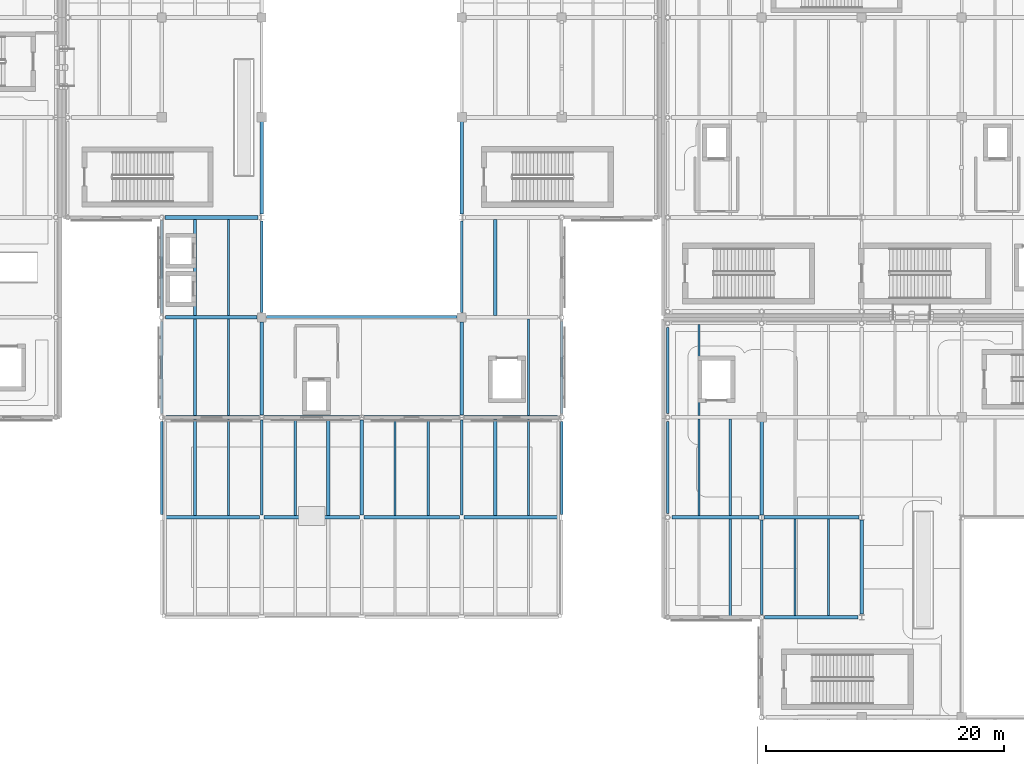
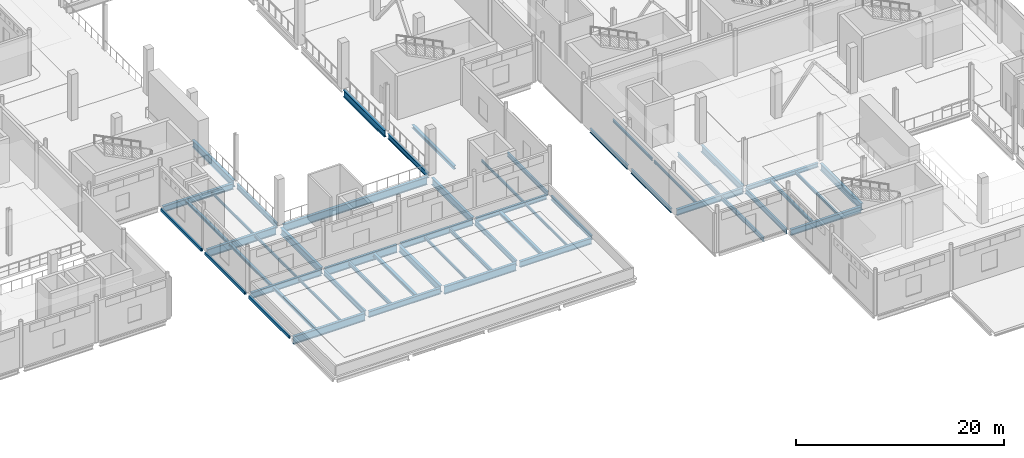
# One storey, part 19 of 110: 53 beams.
"""IFC4 building model written with IfcOpenShell, lengths in metres."""

from ifc_helpers import new_model, si_unit, direction, frame, origin, origin_2d, place, context, subcontext, project, spatial, hollow_rectangle, i_section, extrude, material, material_profile, profile_set, type_object, element, save


model = new_model("IFC4")

# Units and contexts
model_context = context("Model", 3, precision=1e-05, world=origin(), true_north=direction((0.0, 1.0)))
body_context = subcontext(model_context, "Body", "Model", "MODEL_VIEW")
ifc_project = project(units=[si_unit("LENGTHUNIT", "METRE"), si_unit("AREAUNIT", "SQUARE_METRE"), si_unit("VOLUMEUNIT", "CUBIC_METRE"), si_unit("PLANEANGLEUNIT", "RADIAN"), si_unit("MASSUNIT", "GRAM", prefix="KILO"), si_unit("THERMODYNAMICTEMPERATUREUNIT", "KELVIN")], contexts=[model_context])

# Site, building, storey
site_placement = place(None, origin())
site = spatial("IfcSite", under=ifc_project, at=site_placement, CompositionType="ELEMENT")
building_placement = place(site_placement, origin())
building = spatial("IfcBuilding", under=site, at=building_placement, Name="Lustrewick Department Store", CompositionType="ELEMENT")
storey_placement = place(building_placement, frame((0.0, 0.0, 6.0)))
storey = spatial("IfcBuildingStorey", under=building, at=storey_placement, Name="L02", CompositionType="ELEMENT", Elevation=6.0)

# Beams
ifc_material_1 = material(Name="Structural steel Q355B", Category="steel")
ifc_material_profile_1 = material_profile(ifc_material_1, i_section(OverallWidth=0.198974609375, OverallDepth=0.49609375, WebThickness=0.009033203125, FlangeThickness=0.013916015625, FilletRadius=0.01611328125, at=origin_2d()), Name="HN 496x199x9x14")
ifc_profile_set_1 = profile_set([ifc_material_profile_1], Name="Structural steel Q355B")
beam_type_1 = type_object("IfcBeamType", Name="B02", PredefinedType="JOIST", material=ifc_profile_set_1)
beam_1_placement = place(storey_placement, frame((114.966796875, 25.300048828125, -0.5029296875), z_axis=(0.0, 1.0, 0.0), x_axis=(-1.0, 0.0, 0.0)))
element("IfcBeam", 1, at=beam_1_placement, inside=storey, type_object=beam_type_1, Name="L02 V3 Secondary Joist B02", PredefinedType="JOIST", context=body_context, shape_type="SweptSolid", body=[
    extrude(i_section(OverallWidth=0.198974609375, OverallDepth=0.49609375, WebThickness=0.009033203125, FlangeThickness=0.013916015625, FilletRadius=0.01611328125, at=origin_2d()), origin(), (0.0, 0.0, 1.0), 8.14990234375),
])
beam_2_placement = place(storey_placement, frame((114.966796875, 33.75, -0.5029296875), z_axis=(0.0, 1.0, 0.0), x_axis=(-1.0, 0.0, 0.0)))
element("IfcBeam", 2, at=beam_2_placement, inside=storey, type_object=beam_type_1, Name="L02 V3 Secondary Joist B02", PredefinedType="JOIST", context=body_context, shape_type="SweptSolid", body=[
    extrude(i_section(OverallWidth=0.198974609375, OverallDepth=0.49609375, WebThickness=0.009033203125, FlangeThickness=0.013916015625, FilletRadius=0.01611328125, at=origin_2d()), origin(), (0.0, 0.0, 1.0), 8.09912109375),
])
ifc_material_profile_2 = material_profile(ifc_material_1, i_section(OverallWidth=0.199951171875, OverallDepth=0.449951171875, WebThickness=0.009033203125, FlangeThickness=0.013916015625, FilletRadius=0.01611328125, at=origin_2d()), Name="HN 450x200x9x14")
ifc_profile_set_2 = profile_set([ifc_material_profile_2], Name="Structural steel Q355B")
beam_type_2 = type_object("IfcBeamType", Name="B03", PredefinedType="JOIST", material=ifc_profile_set_2)
for number, where, z_axis, x_axis, name in (
    (3, (78.39990234375, 33.75, -0.47998046875), (0.0, 1.0, 0.0), (-1.0, 0.0, 0.0), "L02 V2 Secondary Joist B03"),
    (4, (89.60009765625, 33.7509765625, -0.47998046875), (0.0, 1.0, 0.0), (-1.0, 0.0, 0.0), "L02 V2 Secondary Joist B03"),
):
    element("IfcBeam", number, at=place(storey_placement, frame(where, z_axis=z_axis, x_axis=x_axis)), inside=storey, type_object=beam_type_2, Name=name, PredefinedType="JOIST", context=body_context, shape_type="SweptSolid", body=[
        extrude(i_section(OverallWidth=0.199951171875, OverallDepth=0.449951171875, WebThickness=0.009033203125, FlangeThickness=0.013916015625, FilletRadius=0.01611328125, at=origin_2d()), origin(), (0.0, 0.0, 1.0), 8.09912109375),
    ])
ifc_material_profile_3 = material_profile(ifc_material_1, i_section(OverallWidth=0.198974609375, OverallDepth=0.39599609375, WebThickness=0.007080078125, FlangeThickness=0.010986328125, FilletRadius=0.013916015625, at=origin_2d()), Name="HN 396x199x7x11")
ifc_profile_set_3 = profile_set([ifc_material_profile_3], Name="Structural steel Q355B")
beam_type_3 = type_object("IfcBeamType", Name="B06", PredefinedType="JOIST", material=ifc_profile_set_3)
beam_3_placement = place(storey_placement, frame((120.39990234375, 25.35009765625, -0.452880859375), z_axis=(0.0, 1.0, 0.0), x_axis=(-1.0, 0.0, 0.0)))
element("IfcBeam", 5, at=beam_3_placement, inside=storey, type_object=beam_type_3, Name="L02 V3 Secondary Joist B06", PredefinedType="JOIST", context=body_context, shape_type="SweptSolid", body=[
    extrude(i_section(OverallWidth=0.198974609375, OverallDepth=0.39599609375, WebThickness=0.007080078125, FlangeThickness=0.010986328125, FilletRadius=0.013916015625, at=origin_2d()), origin(), (0.0, 0.0, 1.0), 8.099853515625),
])
ifc_material_profile_4 = material_profile(ifc_material_1, i_section(OverallWidth=0.300048828125, OverallDepth=0.389892578125, WebThickness=0.010009765625, FlangeThickness=0.01611328125, FilletRadius=0.01806640625, at=origin_2d()), Name="HM 390x300x10x16")
ifc_profile_set_4 = profile_set([ifc_material_profile_4], Name="Structural steel Q355B")
beam_type_4 = type_object("IfcBeamType", Name="B07", PredefinedType="JOIST", material=ifc_profile_set_4)
beam_4_placement = place(storey_placement, frame((81.199951171875, 33.75, -0.449951171875), z_axis=(0.0, 1.0, 0.0), x_axis=(-1.0, 0.0, 0.0)))
element("IfcBeam", 6, at=beam_4_placement, inside=storey, type_object=beam_type_4, Name="L02 V2 Secondary Joist B07", PredefinedType="JOIST", context=body_context, shape_type="SweptSolid", body=[
    extrude(i_section(OverallWidth=0.300048828125, OverallDepth=0.389892578125, WebThickness=0.010009765625, FlangeThickness=0.01611328125, FilletRadius=0.01806640625, at=origin_2d()), origin(), (0.0, 0.0, 1.0), 8.09912109375),
])
beam_5_placement = place(storey_placement, frame((95.199951171875, 33.75, -0.449951171875), z_axis=(0.0, 1.0, 0.0), x_axis=(-1.0, 0.0, 0.0)))
element("IfcBeam", 7, at=beam_5_placement, inside=storey, type_object=beam_type_4, Name="L02 V2 Secondary Joist B07", PredefinedType="JOIST", context=body_context, shape_type="SweptSolid", body=[
    extrude(i_section(OverallWidth=0.300048828125, OverallDepth=0.389892578125, WebThickness=0.010009765625, FlangeThickness=0.01611328125, FilletRadius=0.01806640625, at=origin_2d()), origin(), (0.0, 0.0, 1.0), 8.10009765625),
])
beam_6_placement = place(storey_placement, frame((95.199951171875, 50.550048828125, -0.449951171875), z_axis=(0.0, 1.0, 0.0), x_axis=(-1.0, 0.0, 0.0)))
element("IfcBeam", 8, at=beam_6_placement, inside=storey, type_object=beam_type_4, Name="L02 V2 Secondary Joist B07", PredefinedType="JOIST", context=body_context, shape_type="SweptSolid", body=[
    extrude(i_section(OverallWidth=0.300048828125, OverallDepth=0.389892578125, WebThickness=0.010009765625, FlangeThickness=0.01611328125, FilletRadius=0.01806640625, at=origin_2d()), origin(), (0.0, 0.0, 1.0), 8.099853515625),
])
ifc_material_profile_5 = material_profile(ifc_material_1, i_section(OverallWidth=0.25, OverallDepth=0.340087890625, WebThickness=0.009033203125, FlangeThickness=0.013916015625, FilletRadius=0.01611328125, at=origin_2d()), Name="HM 340x250x9x14")
ifc_profile_set_5 = profile_set([ifc_material_profile_5], Name="Structural steel Q355B")
beam_type_5 = type_object("IfcBeamType", Name="B08", PredefinedType="JOIST", material=ifc_profile_set_5)
for number, where, z_axis, x_axis, name in (
    (9, (70.0, 33.7509765625, -0.425048828125), (0.0, 1.0, 0.0), (-1.0, 0.0, 0.0), "L02 V2 Secondary Joist B08"),
    (10, (70.0, 42.14990234375, -0.425048828125), (0.0, 1.0, 0.0), (-1.0, 0.0, 0.0), "L02 V2 Secondary Joist B08"),
):
    element("IfcBeam", number, at=place(storey_placement, frame(where, z_axis=z_axis, x_axis=x_axis)), inside=storey, type_object=beam_type_5, Name=name, PredefinedType="JOIST", context=body_context, shape_type="SweptSolid", body=[
        extrude(i_section(OverallWidth=0.25, OverallDepth=0.340087890625, WebThickness=0.009033203125, FlangeThickness=0.013916015625, FilletRadius=0.01611328125, at=origin_2d()), origin(), (0.0, 0.0, 1.0), 8.09912109375),
    ])
beam_7_placement = place(storey_placement, frame((70.0, 50.551025390625, -0.425048828125), z_axis=(0.0, 1.0, 0.0), x_axis=(-1.0, 0.0, 0.0)))
element("IfcBeam", 11, at=beam_7_placement, inside=storey, type_object=beam_type_5, Name="L02 V2 Secondary Joist B08", PredefinedType="JOIST", context=body_context, shape_type="SweptSolid", body=[
    extrude(i_section(OverallWidth=0.25, OverallDepth=0.340087890625, WebThickness=0.009033203125, FlangeThickness=0.013916015625, FilletRadius=0.01611328125, at=origin_2d()), origin(), (0.0, 0.0, 1.0), 8.098876953125),
])
ifc_material_profile_6 = material_profile(ifc_material_1, i_section(OverallWidth=0.174072265625, OverallDepth=0.345947265625, WebThickness=0.006103515625, FlangeThickness=0.009033203125, FilletRadius=0.012939453125, at=origin_2d()), Name="HN 346x174x6x9")
ifc_profile_set_6 = profile_set([ifc_material_profile_6], Name="Structural steel Q355B")
beam_type_6 = type_object("IfcBeamType", Name="B10", PredefinedType="JOIST", material=ifc_profile_set_6)
beam_8_placement = place(storey_placement, frame((123.199951171875, 25.35009765625, -0.427978515625), z_axis=(0.0, 1.0, 0.0), x_axis=(-1.0, 0.0, 0.0)))
element("IfcBeam", 12, at=beam_8_placement, inside=storey, type_object=beam_type_6, Name="L02 V3 Secondary Joist B10", PredefinedType="JOIST", context=body_context, shape_type="SweptSolid", body=[
    extrude(i_section(OverallWidth=0.174072265625, OverallDepth=0.345947265625, WebThickness=0.006103515625, FlangeThickness=0.009033203125, FilletRadius=0.012939453125, at=origin_2d()), origin(), (0.0, 0.0, 1.0), 8.099853515625),
])
ifc_material_profile_7 = material_profile(ifc_material_1, i_section(OverallWidth=0.14990234375, OverallDepth=0.300048828125, WebThickness=0.006591796875, FlangeThickness=0.009033203125, FilletRadius=0.011962890625, at=origin_2d()), Name="HN 300x150x6.5x9")
ifc_profile_set_7 = profile_set([ifc_material_profile_7], Name="Structural steel Q355B")
beam_type_7 = type_object("IfcBeamType", Name="B11", PredefinedType="JOIST", material=ifc_profile_set_7)
for number, where, z_axis, x_axis, name in (
    (13, (98.0, 33.75, -0.405029296875), (0.0, 1.0, 0.0), (-1.0, 0.0, 0.0), "L02 V2 Secondary Joist B11"),
    (14, (98.0, 42.14990234375, -0.405029296875), (0.0, 1.0, 0.0), (-1.0, 0.0, 0.0), "L02 V2 Secondary Joist B11"),
):
    element("IfcBeam", number, at=place(storey_placement, frame(where, z_axis=z_axis, x_axis=x_axis)), inside=storey, type_object=beam_type_7, Name=name, PredefinedType="JOIST", context=body_context, shape_type="SweptSolid", body=[
        extrude(i_section(OverallWidth=0.14990234375, OverallDepth=0.300048828125, WebThickness=0.006591796875, FlangeThickness=0.009033203125, FilletRadius=0.011962890625, at=origin_2d()), origin(), (0.0, 0.0, 1.0), 8.10009765625),
    ])
beam_9_placement = place(storey_placement, frame((112.333251953125, 33.75, -0.405029296875), z_axis=(0.0, 1.0, 0.0), x_axis=(-1.0, 0.0, 0.0)))
element("IfcBeam", 15, at=beam_9_placement, inside=storey, type_object=beam_type_7, Name="L02 V3 Secondary Joist B11", PredefinedType="JOIST", context=body_context, shape_type="SweptSolid", body=[
    extrude(i_section(OverallWidth=0.14990234375, OverallDepth=0.300048828125, WebThickness=0.006591796875, FlangeThickness=0.009033203125, FilletRadius=0.011962890625, at=origin_2d()), origin(), (0.0, 0.0, 1.0), 8.09912109375),
])
beam_10_placement = place(storey_placement, frame((112.333251953125, 42.15087890625, -0.405029296875), z_axis=(0.0, 1.0, 0.0), x_axis=(-1.0, 0.0, 0.0)))
element("IfcBeam", 16, at=beam_10_placement, inside=storey, type_object=beam_type_7, Name="L02 V3 Secondary Joist B11", PredefinedType="JOIST", context=body_context, shape_type="SweptSolid", body=[
    extrude(i_section(OverallWidth=0.14990234375, OverallDepth=0.300048828125, WebThickness=0.006591796875, FlangeThickness=0.009033203125, FilletRadius=0.011962890625, at=origin_2d()), origin(), (0.0, 0.0, 1.0), 7.648681640625),
])
ifc_material_profile_8 = material_profile(ifc_material_1, i_section(OverallWidth=0.14892578125, OverallDepth=0.298095703125, WebThickness=0.005615234375, FlangeThickness=0.008056640625, FilletRadius=0.011962890625, at=origin_2d()), Name="HN 298x149x5.5x8")
ifc_profile_set_8 = profile_set([ifc_material_profile_8], Name="Structural steel Q355B")
beam_type_8 = type_object("IfcBeamType", Name="B12", PredefinedType="JOIST", material=ifc_profile_set_8)
for number, where, z_axis, x_axis, name in (
    (17, (72.800048828125, 33.7509765625, -0.404052734375), (0.0, 1.0, 0.0), (-1.0, 0.0, 0.0), "L02 V2 Secondary Joist B12"),
    (18, (86.800048828125, 33.7509765625, -0.404052734375), (0.0, 1.0, 0.0), (-1.0, 0.0, 0.0), "L02 V2 Secondary Joist B12"),
    (19, (72.800048828125, 42.14990234375, -0.404052734375), (0.0, 1.0, 0.0), (-1.0, 0.0, 0.0), "L02 V2 Secondary Joist B12"),
):
    element("IfcBeam", number, at=place(storey_placement, frame(where, z_axis=z_axis, x_axis=x_axis)), inside=storey, type_object=beam_type_8, Name=name, PredefinedType="JOIST", context=body_context, shape_type="SweptSolid", body=[
        extrude(i_section(OverallWidth=0.14892578125, OverallDepth=0.298095703125, WebThickness=0.005615234375, FlangeThickness=0.008056640625, FilletRadius=0.011962890625, at=origin_2d()), origin(), (0.0, 0.0, 1.0), 8.09912109375),
    ])
beam_11_placement = place(storey_placement, frame((72.800048828125, 50.551025390625, -0.404052734375), z_axis=(0.0, 1.0, 0.0), x_axis=(-1.0, 0.0, 0.0)))
element("IfcBeam", 20, at=beam_11_placement, inside=storey, type_object=beam_type_8, Name="L02 V2 Secondary Joist B12", PredefinedType="JOIST", context=body_context, shape_type="SweptSolid", body=[
    extrude(i_section(OverallWidth=0.14892578125, OverallDepth=0.298095703125, WebThickness=0.005615234375, FlangeThickness=0.008056640625, FilletRadius=0.011962890625, at=origin_2d()), origin(), (0.0, 0.0, 1.0), 8.098876953125),
])
ifc_material_2 = material(Name="Structural steel Q355C", Category="steel")
ifc_material_profile_9 = material_profile(ifc_material_2, i_section(OverallWidth=0.302001953125, OverallDepth=0.912109375, WebThickness=0.01806640625, FlangeThickness=0.033935546875, FilletRadius=0.02392578125, at=origin_2d()), Name="HN 912x302x18x34")
ifc_profile_set_9 = profile_set([ifc_material_profile_9], Name="Structural steel Q355C")
beam_type_9 = type_object("IfcBeamType", Name="G01", PredefinedType="BEAM", material=ifc_profile_set_9)
beam_12_placement = place(storey_placement, frame((67.428466796875, 33.60009765625, -0.7109375), z_axis=(1.0, 0.0, 0.0), x_axis=(0.0, 1.0, 0.0)))
element("IfcBeam", 21, at=beam_12_placement, inside=storey, type_object=beam_type_9, Name="L02 V2 Girder G01", PredefinedType="BEAM", context=body_context, shape_type="SweptSolid", body=[
    extrude(i_section(OverallWidth=0.302001953125, OverallDepth=0.912109375, WebThickness=0.01806640625, FlangeThickness=0.033935546875, FilletRadius=0.02392578125, at=origin_2d()), origin(), (0.0, 0.0, 1.0), 7.968994140625),
])
beam_13_placement = place(storey_placement, frame((84.202392578125, 33.60009765625, -0.7109375), z_axis=(1.0, 0.0, 0.0), x_axis=(0.0, 1.0, 0.0)))
element("IfcBeam", 22, at=beam_13_placement, inside=storey, type_object=beam_type_9, Name="L02 V2 Girder G01", PredefinedType="BEAM", context=body_context, shape_type="SweptSolid", body=[
    extrude(i_section(OverallWidth=0.302001953125, OverallDepth=0.912109375, WebThickness=0.01806640625, FlangeThickness=0.033935546875, FilletRadius=0.02392578125, at=origin_2d()), origin(), (0.0, 0.0, 1.0), 7.9951171875),
])
beam_14_placement = place(storey_placement, frame((75.800048828125, 42.0, -0.7109375), z_axis=(1.0, 0.0, 0.0), x_axis=(0.0, 1.0, 0.0)))
element("IfcBeam", 23, at=beam_14_placement, inside=storey, type_object=beam_type_9, Name="L02 V2 Girder G01", PredefinedType="BEAM", context=body_context, shape_type="SweptSolid", body=[
    extrude(i_section(OverallWidth=0.302001953125, OverallDepth=0.912109375, WebThickness=0.01806640625, FlangeThickness=0.033935546875, FilletRadius=0.02392578125, at=origin_2d()), origin(), (0.0, 0.0, 1.0), 8.0),
])
beam_15_placement = place(storey_placement, frame((67.52490234375, 50.39990234375, -0.7109375), z_axis=(1.0, 0.0, 0.0), x_axis=(0.0, 1.0, 0.0)))
element("IfcBeam", 24, at=beam_15_placement, inside=storey, type_object=beam_type_9, Name="L02 V2 Girder G01", PredefinedType="BEAM", context=body_context, shape_type="SweptSolid", body=[
    extrude(i_section(OverallWidth=0.302001953125, OverallDepth=0.912109375, WebThickness=0.01806640625, FlangeThickness=0.033935546875, FilletRadius=0.02392578125, at=origin_2d()), origin(), (0.0, 0.0, 1.0), 7.675048828125),
])
beam_16_placement = place(storey_placement, frame((76.0, 50.39990234375, -0.7109375), z_axis=(1.0, 0.0, 0.0), x_axis=(0.0, 1.0, 0.0)))
element("IfcBeam", 25, at=beam_16_placement, inside=storey, type_object=beam_type_9, Name="L02 V2 Girder G01", PredefinedType="BEAM", context=body_context, shape_type="SweptSolid", body=[
    extrude(i_section(OverallWidth=0.302001953125, OverallDepth=0.912109375, WebThickness=0.01806640625, FlangeThickness=0.033935546875, FilletRadius=0.02392578125, at=origin_2d()), origin(), (0.0, 0.0, 1.0), 16.0),
])
ifc_material_profile_10 = material_profile(ifc_material_1, i_section(OverallWidth=0.300048828125, OverallDepth=0.800048828125, WebThickness=0.013916015625, FlangeThickness=0.02587890625, FilletRadius=0.02197265625, at=origin_2d()), Name="HN 800x300x14x26")
ifc_profile_set_10 = profile_set([ifc_material_profile_10], Name="Structural steel Q355B")
beam_type_10 = type_object("IfcBeamType", Name="G05", PredefinedType="BEAM", material=ifc_profile_set_10)
beam_17_placement = place(storey_placement, frame((75.60009765625, 59.10009765625, -0.655029296875), z_axis=(0.0, 1.0, 0.0), x_axis=(-1.0, 0.0, 0.0)))
element("IfcBeam", 26, at=beam_17_placement, inside=storey, type_object=beam_type_10, Name="L02 V2 Girder G05", PredefinedType="BEAM", context=body_context, shape_type="SweptSolid", body=[
    extrude(i_section(OverallWidth=0.300048828125, OverallDepth=0.800048828125, WebThickness=0.013916015625, FlangeThickness=0.02587890625, FilletRadius=0.02197265625, at=origin_2d()), origin(), (0.0, 0.0, 1.0), 7.89990234375),
])
beam_18_placement = place(storey_placement, frame((92.39990234375, 42.199951171875, -0.655029296875), z_axis=(0.0, 1.0, 0.0), x_axis=(-1.0, 0.0, 0.0)))
element("IfcBeam", 27, at=beam_18_placement, inside=storey, type_object=beam_type_10, Name="L02 V2 Girder G05", PredefinedType="BEAM", context=body_context, shape_type="SweptSolid", body=[
    extrude(i_section(OverallWidth=0.300048828125, OverallDepth=0.800048828125, WebThickness=0.013916015625, FlangeThickness=0.02587890625, FilletRadius=0.02197265625, at=origin_2d()), origin(), (0.0, 0.0, 1.0), 7.800048828125),
])
beam_19_placement = place(storey_placement, frame((92.39990234375, 59.10009765625, -0.655029296875), z_axis=(0.0, 1.0, 0.0), x_axis=(-1.0, 0.0, 0.0)))
element("IfcBeam", 28, at=beam_19_placement, inside=storey, type_object=beam_type_10, Name="L02 V2 Girder G05", PredefinedType="BEAM", context=body_context, shape_type="SweptSolid", body=[
    extrude(i_section(OverallWidth=0.300048828125, OverallDepth=0.800048828125, WebThickness=0.013916015625, FlangeThickness=0.02587890625, FilletRadius=0.02197265625, at=origin_2d()), origin(), (0.0, 0.0, 1.0), 7.89990234375),
])
beam_20_placement = place(storey_placement, frame((117.60009765625, 33.806884765625, -0.655029296875), z_axis=(0.0, 1.0, 0.0), x_axis=(-1.0, 0.0, 0.0)))
element("IfcBeam", 29, at=beam_20_placement, inside=storey, type_object=beam_type_10, Name="L02 V3 Girder G05", PredefinedType="BEAM", context=body_context, shape_type="SweptSolid", body=[
    extrude(i_section(OverallWidth=0.300048828125, OverallDepth=0.800048828125, WebThickness=0.013916015625, FlangeThickness=0.02587890625, FilletRadius=0.02197265625, at=origin_2d()), origin(), (0.0, 0.0, 1.0), 7.9931640625),
])
beam_21_placement = place(storey_placement, frame((126.0, 25.5, -0.655029296875), z_axis=(0.0, 1.0, 0.0), x_axis=(-1.0, 0.0, 0.0)))
element("IfcBeam", 30, at=beam_21_placement, inside=storey, type_object=beam_type_10, Name="L02 V3 Girder G05", PredefinedType="BEAM", context=body_context, shape_type="SweptSolid", body=[
    extrude(i_section(OverallWidth=0.300048828125, OverallDepth=0.800048828125, WebThickness=0.013916015625, FlangeThickness=0.02587890625, FilletRadius=0.02197265625, at=origin_2d()), origin(), (0.0, 0.0, 1.0), 7.89306640625),
])
ifc_material_profile_11 = material_profile(ifc_material_1, i_section(OverallWidth=0.300048828125, OverallDepth=0.7919921875, WebThickness=0.013916015625, FlangeThickness=0.02197265625, FilletRadius=0.02197265625, at=origin_2d()), Name="HN 792x300x14x22")
ifc_profile_set_11 = profile_set([ifc_material_profile_11], Name="Structural steel Q355B")
beam_type_11 = type_object("IfcBeamType", Name="G06", PredefinedType="BEAM", material=ifc_profile_set_11)
beam_22_placement = place(storey_placement, frame((75.60009765625, 42.199951171875, -0.65087890625), z_axis=(0.0, 1.0, 0.0), x_axis=(-1.0, 0.0, 0.0)))
element("IfcBeam", 31, at=beam_22_placement, inside=storey, type_object=beam_type_11, Name="L02 V2 Girder G06", PredefinedType="BEAM", context=body_context, shape_type="SweptSolid", body=[
    extrude(i_section(OverallWidth=0.300048828125, OverallDepth=0.7919921875, WebThickness=0.013916015625, FlangeThickness=0.02197265625, FilletRadius=0.02197265625, at=origin_2d()), origin(), (0.0, 0.0, 1.0), 7.800048828125),
])
beam_23_placement = place(storey_placement, frame((84.0, 33.806884765625, -0.65087890625), z_axis=(0.0, 1.0, 0.0), x_axis=(-1.0, 0.0, 0.0)))
element("IfcBeam", 32, at=beam_23_placement, inside=storey, type_object=beam_type_11, Name="L02 V2 Girder G06", PredefinedType="BEAM", context=body_context, shape_type="SweptSolid", body=[
    extrude(i_section(OverallWidth=0.300048828125, OverallDepth=0.7919921875, WebThickness=0.013916015625, FlangeThickness=0.02197265625, FilletRadius=0.02197265625, at=origin_2d()), origin(), (0.0, 0.0, 1.0), 7.9931640625),
])
ifc_material_profile_12 = material_profile(ifc_material_1, i_section(OverallWidth=0.300048828125, OverallDepth=0.69189453125, WebThickness=0.012939453125, FlangeThickness=0.02001953125, FilletRadius=0.02001953125, at=origin_2d()), Name="HN 692x300x13x20")
ifc_profile_set_12 = profile_set([ifc_material_profile_12], Name="Structural steel Q355B")
beam_type_12 = type_object("IfcBeamType", Name="G09", PredefinedType="BEAM", material=ifc_profile_set_12)
beam_24_placement = place(storey_placement, frame((75.802490234375, 33.60009765625, -0.60107421875), z_axis=(1.0, 0.0, 0.0), x_axis=(0.0, 1.0, 0.0)))
element("IfcBeam", 33, at=beam_24_placement, inside=storey, type_object=beam_type_12, Name="L02 V2 Girder G09", PredefinedType="BEAM", context=body_context, shape_type="SweptSolid", body=[
    extrude(i_section(OverallWidth=0.300048828125, OverallDepth=0.69189453125, WebThickness=0.012939453125, FlangeThickness=0.02001953125, FilletRadius=0.02001953125, at=origin_2d()), origin(), (0.0, 0.0, 1.0), 7.9951171875),
])
beam_25_placement = place(storey_placement, frame((92.6025390625, 33.60009765625, -0.60107421875), z_axis=(1.0, 0.0, 0.0), x_axis=(0.0, 1.0, 0.0)))
element("IfcBeam", 34, at=beam_25_placement, inside=storey, type_object=beam_type_12, Name="L02 V2 Girder G09", PredefinedType="BEAM", context=body_context, shape_type="SweptSolid", body=[
    extrude(i_section(OverallWidth=0.300048828125, OverallDepth=0.69189453125, WebThickness=0.012939453125, FlangeThickness=0.02001953125, FilletRadius=0.02001953125, at=origin_2d()), origin(), (0.0, 0.0, 1.0), 7.968994140625),
])
beam_26_placement = place(storey_placement, frame((67.550048828125, 42.0, -0.60107421875), z_axis=(1.0, 0.0, 0.0), x_axis=(0.0, 1.0, 0.0)))
element("IfcBeam", 35, at=beam_26_placement, inside=storey, type_object=beam_type_12, Name="L02 V2 Girder G09", PredefinedType="BEAM", context=body_context, shape_type="SweptSolid", body=[
    extrude(i_section(OverallWidth=0.300048828125, OverallDepth=0.69189453125, WebThickness=0.012939453125, FlangeThickness=0.02001953125, FilletRadius=0.02001953125, at=origin_2d()), origin(), (0.0, 0.0, 1.0), 7.849853515625),
])
beam_27_placement = place(storey_placement, frame((84.199951171875, 42.0, -0.60107421875), z_axis=(1.0, 0.0, 0.0), x_axis=(0.0, 1.0, 0.0)))
element("IfcBeam", 36, at=beam_27_placement, inside=storey, type_object=beam_type_12, Name="L02 V2 Girder G09", PredefinedType="BEAM", context=body_context, shape_type="SweptSolid", body=[
    extrude(i_section(OverallWidth=0.300048828125, OverallDepth=0.69189453125, WebThickness=0.012939453125, FlangeThickness=0.02001953125, FilletRadius=0.02001953125, at=origin_2d()), origin(), (0.0, 0.0, 1.0), 8.0),
])
for number, where, z_axis, x_axis, name in (
    (37, (67.4541015625, 58.800048828125, -0.60107421875), (1.0, 0.0, 0.0), (0.0, 1.0, 0.0), "L02 V2 Girder G09"),
    (38, (117.85400390625, 25.199951171875, -0.60107421875), (1.0, 0.0, 0.0), (0.0, 1.0, 0.0), "L02 V3 Girder G09"),
):
    element("IfcBeam", number, at=place(storey_placement, frame(where, z_axis=z_axis, x_axis=x_axis)), inside=storey, type_object=beam_type_12, Name=name, PredefinedType="BEAM", context=body_context, shape_type="SweptSolid", body=[
        extrude(i_section(OverallWidth=0.300048828125, OverallDepth=0.69189453125, WebThickness=0.012939453125, FlangeThickness=0.02001953125, FilletRadius=0.02001953125, at=origin_2d()), origin(), (0.0, 0.0, 1.0), 7.845947265625),
    ])
beam_28_placement = place(storey_placement, frame((110.050048828125, 33.60009765625, -0.60107421875), z_axis=(1.0, 0.0, 0.0), x_axis=(0.0, 1.0, 0.0)))
element("IfcBeam", 39, at=beam_28_placement, inside=storey, type_object=beam_type_12, Name="L02 V3 Girder G09", PredefinedType="BEAM", context=body_context, shape_type="SweptSolid", body=[
    extrude(i_section(OverallWidth=0.300048828125, OverallDepth=0.69189453125, WebThickness=0.012939453125, FlangeThickness=0.02001953125, FilletRadius=0.02001953125, at=origin_2d()), origin(), (0.0, 0.0, 1.0), 7.347412109375),
])
ifc_material_profile_13 = material_profile(ifc_material_1, i_section(OverallWidth=0.199951171875, OverallDepth=0.60009765625, WebThickness=0.010986328125, FlangeThickness=0.01708984375, FilletRadius=0.01806640625, at=origin_2d()), Name="HN 600x200x11x17")
ifc_profile_set_13 = profile_set([ifc_material_profile_13], Name="Structural steel Q355B")
beam_type_13 = type_object("IfcBeamType", Name="G14", PredefinedType="BEAM", material=ifc_profile_set_13)
beam_29_placement = place(storey_placement, frame((75.60009765625, 33.806884765625, -0.554931640625), z_axis=(0.0, 1.0, 0.0), x_axis=(-1.0, 0.0, 0.0)))
element("IfcBeam", 40, at=beam_29_placement, inside=storey, type_object=beam_type_13, Name="L02 V2 Girder G14", PredefinedType="BEAM", context=body_context, shape_type="SweptSolid", body=[
    extrude(i_section(OverallWidth=0.199951171875, OverallDepth=0.60009765625, WebThickness=0.010986328125, FlangeThickness=0.01708984375, FilletRadius=0.01806640625, at=origin_2d()), origin(), (0.0, 0.0, 1.0), 7.9931640625),
])
beam_30_placement = place(storey_placement, frame((75.60009765625, 50.800048828125, -0.554931640625), z_axis=(0.0, 1.0, 0.0), x_axis=(-1.0, 0.0, 0.0)))
element("IfcBeam", 41, at=beam_30_placement, inside=storey, type_object=beam_type_13, Name="L02 V2 Girder G14", PredefinedType="BEAM", context=body_context, shape_type="SweptSolid", body=[
    extrude(i_section(OverallWidth=0.199951171875, OverallDepth=0.60009765625, WebThickness=0.010986328125, FlangeThickness=0.01708984375, FilletRadius=0.01806640625, at=origin_2d()), origin(), (0.0, 0.0, 1.0), 7.699951171875),
])
beam_31_placement = place(storey_placement, frame((92.39990234375, 33.806884765625, -0.554931640625), z_axis=(0.0, 1.0, 0.0), x_axis=(-1.0, 0.0, 0.0)))
element("IfcBeam", 42, at=beam_31_placement, inside=storey, type_object=beam_type_13, Name="L02 V2 Girder G14", PredefinedType="BEAM", context=body_context, shape_type="SweptSolid", body=[
    extrude(i_section(OverallWidth=0.199951171875, OverallDepth=0.60009765625, WebThickness=0.010986328125, FlangeThickness=0.01708984375, FilletRadius=0.01806640625, at=origin_2d()), origin(), (0.0, 0.0, 1.0), 7.9931640625),
])
beam_32_placement = place(storey_placement, frame((92.39990234375, 50.800048828125, -0.554931640625), z_axis=(0.0, 1.0, 0.0), x_axis=(-1.0, 0.0, 0.0)))
element("IfcBeam", 43, at=beam_32_placement, inside=storey, type_object=beam_type_13, Name="L02 V2 Girder G14", PredefinedType="BEAM", context=body_context, shape_type="SweptSolid", body=[
    extrude(i_section(OverallWidth=0.199951171875, OverallDepth=0.60009765625, WebThickness=0.010986328125, FlangeThickness=0.01708984375, FilletRadius=0.01806640625, at=origin_2d()), origin(), (0.0, 0.0, 1.0), 7.699951171875),
])
beam_33_placement = place(storey_placement, frame((117.60009765625, 25.4541015625, -0.554931640625), z_axis=(0.0, 1.0, 0.0), x_axis=(-1.0, 0.0, 0.0)))
element("IfcBeam", 44, at=beam_33_placement, inside=storey, type_object=beam_type_13, Name="L02 V3 Girder G14", PredefinedType="BEAM", context=body_context, shape_type="SweptSolid", body=[
    extrude(i_section(OverallWidth=0.199951171875, OverallDepth=0.60009765625, WebThickness=0.010986328125, FlangeThickness=0.01708984375, FilletRadius=0.01806640625, at=origin_2d()), origin(), (0.0, 0.0, 1.0), 7.93896484375),
])
ifc_material_profile_14 = material_profile(ifc_material_1, i_section(OverallWidth=0.300048828125, OverallDepth=0.48193359375, WebThickness=0.010986328125, FlangeThickness=0.014892578125, FilletRadius=0.02197265625, at=origin_2d()), Name="HM 482x300x11x15")
ifc_profile_set_14 = profile_set([ifc_material_profile_14], Name="Structural steel Q355B")
beam_type_14 = type_object("IfcBeamType", Name="G20", PredefinedType="BEAM", material=ifc_profile_set_14)
beam_34_placement = place(storey_placement, frame((92.60009765625, 42.0, -0.49609375), z_axis=(1.0, 0.0, 0.0), x_axis=(0.0, 1.0, 0.0)))
element("IfcBeam", 45, at=beam_34_placement, inside=storey, type_object=beam_type_14, Name="L02 V2 Girder G20", PredefinedType="BEAM", context=body_context, shape_type="SweptSolid", body=[
    extrude(i_section(OverallWidth=0.300048828125, OverallDepth=0.48193359375, WebThickness=0.010986328125, FlangeThickness=0.014892578125, FilletRadius=0.02197265625, at=origin_2d()), origin(), (0.0, 0.0, 1.0), 7.849853515625),
])
beam_35_placement = place(storey_placement, frame((117.802490234375, 33.60009765625, -0.49609375), z_axis=(1.0, 0.0, 0.0), x_axis=(0.0, 1.0, 0.0)))
element("IfcBeam", 46, at=beam_35_placement, inside=storey, type_object=beam_type_14, Name="L02 V3 Girder G20", PredefinedType="BEAM", context=body_context, shape_type="SweptSolid", body=[
    extrude(i_section(OverallWidth=0.300048828125, OverallDepth=0.48193359375, WebThickness=0.010986328125, FlangeThickness=0.014892578125, FilletRadius=0.02197265625, at=origin_2d()), origin(), (0.0, 0.0, 1.0), 7.9951171875),
])
ifc_material_profile_15 = material_profile(ifc_material_1, i_section(OverallWidth=0.200927734375, OverallDepth=0.506103515625, WebThickness=0.010986328125, FlangeThickness=0.01904296875, FilletRadius=0.01611328125, at=origin_2d()), Name="HN 506x201x11x19")
ifc_profile_set_15 = profile_set([ifc_material_profile_15], Name="Structural steel Q355B")
beam_type_15 = type_object("IfcBeamType", Name="SP01", PredefinedType="SPANDREL", material=ifc_profile_set_15)
beam_36_placement = place(storey_placement, frame((100.800048828125, 33.82861328125, -0.508056640625), z_axis=(0.0, 1.0, 0.0), x_axis=(-1.0, 0.0, 0.0)))
element("IfcBeam", 47, at=beam_36_placement, inside=storey, type_object=beam_type_15, Name="L02 V2 Girder SP01", PredefinedType="SPANDREL", context=body_context, shape_type="SweptSolid", body=[
    extrude(i_section(OverallWidth=0.200927734375, OverallDepth=0.506103515625, WebThickness=0.010986328125, FlangeThickness=0.01904296875, FilletRadius=0.01611328125, at=origin_2d()), origin(), (0.0, 0.0, 1.0), 7.8212890625),
])
beam_37_placement = place(storey_placement, frame((100.800048828125, 42.35009765625, -0.508056640625), z_axis=(0.0, 1.0, 0.0), x_axis=(-1.0, 0.0, 0.0)))
element("IfcBeam", 48, at=beam_37_placement, inside=storey, type_object=beam_type_15, Name="L02 V2 Girder SP01", PredefinedType="SPANDREL", context=body_context, shape_type="SweptSolid", body=[
    extrude(i_section(OverallWidth=0.200927734375, OverallDepth=0.506103515625, WebThickness=0.010986328125, FlangeThickness=0.01904296875, FilletRadius=0.01611328125, at=origin_2d()), origin(), (0.0, 0.0, 1.0), 7.724853515625),
])
beam_38_placement = place(storey_placement, frame((109.699951171875, 33.949951171875, -0.508056640625), z_axis=(0.0, 1.0, 0.0), x_axis=(-1.0, 0.0, 0.0)))
element("IfcBeam", 49, at=beam_38_placement, inside=storey, type_object=beam_type_15, Name="L02 V3 Girder SP01", PredefinedType="SPANDREL", context=body_context, shape_type="SweptSolid", body=[
    extrude(i_section(OverallWidth=0.200927734375, OverallDepth=0.506103515625, WebThickness=0.010986328125, FlangeThickness=0.01904296875, FilletRadius=0.01611328125, at=origin_2d()), origin(), (0.0, 0.0, 1.0), 7.72509765625),
])
beam_39_placement = place(storey_placement, frame((109.699951171875, 42.324951171875, -0.508056640625), z_axis=(0.0, 1.0, 0.0), x_axis=(-1.0, 0.0, 0.0)))
element("IfcBeam", 50, at=beam_39_placement, inside=storey, type_object=beam_type_15, Name="L02 V3 Girder SP01", PredefinedType="SPANDREL", context=body_context, shape_type="SweptSolid", body=[
    extrude(i_section(OverallWidth=0.200927734375, OverallDepth=0.506103515625, WebThickness=0.010986328125, FlangeThickness=0.01904296875, FilletRadius=0.01611328125, at=origin_2d()), origin(), (0.0, 0.0, 1.0), 7.25),
])
ifc_material_profile_16 = material_profile(ifc_material_2, hollow_rectangle(XDim=0.199951171875, YDim=0.35009765625, WallThickness=0.011962890625, at=origin_2d()), Name="RHS 350x200x12")
ifc_profile_set_16 = profile_set([ifc_material_profile_16], Name="Structural steel Q355C")
beam_type_16 = type_object("IfcBeamType", Name="SP03", PredefinedType="SPANDREL", material=ifc_profile_set_16)
beam_40_placement = place(storey_placement, frame((67.199951171875, 33.82861328125, -0.429931640625), z_axis=(0.0, 1.0, 0.0), x_axis=(-1.0, 0.0, 0.0)))
element("IfcBeam", 51, at=beam_40_placement, inside=storey, type_object=beam_type_16, Name="L02 V2 Girder SP03", PredefinedType="SPANDREL", context=body_context, shape_type="SweptSolid", body=[
    extrude(hollow_rectangle(XDim=0.199951171875, YDim=0.35009765625, WallThickness=0.011962890625, at=origin_2d()), origin(), (0.0, 0.0, 1.0), 7.8212890625),
])
beam_41_placement = place(storey_placement, frame((67.199951171875, 42.35009765625, -0.429931640625), z_axis=(0.0, 1.0, 0.0), x_axis=(-1.0, 0.0, 0.0)))
element("IfcBeam", 52, at=beam_41_placement, inside=storey, type_object=beam_type_16, Name="L02 V2 Girder SP03", PredefinedType="SPANDREL", context=body_context, shape_type="SweptSolid", body=[
    extrude(hollow_rectangle(XDim=0.199951171875, YDim=0.35009765625, WallThickness=0.011962890625, at=origin_2d()), origin(), (0.0, 0.0, 1.0), 7.724853515625),
])
beam_42_placement = place(storey_placement, frame((67.199951171875, 50.72509765625, -0.429931640625), z_axis=(0.0, 1.0, 0.0), x_axis=(-1.0, 0.0, 0.0)))
element("IfcBeam", 53, at=beam_42_placement, inside=storey, type_object=beam_type_16, Name="L02 V2 Girder SP03", PredefinedType="SPANDREL", context=body_context, shape_type="SweptSolid", body=[
    extrude(hollow_rectangle(XDim=0.199951171875, YDim=0.35009765625, WallThickness=0.011962890625, at=origin_2d()), origin(), (0.0, 0.0, 1.0), 7.82080078125),
])

save(model, "model.ifc")
